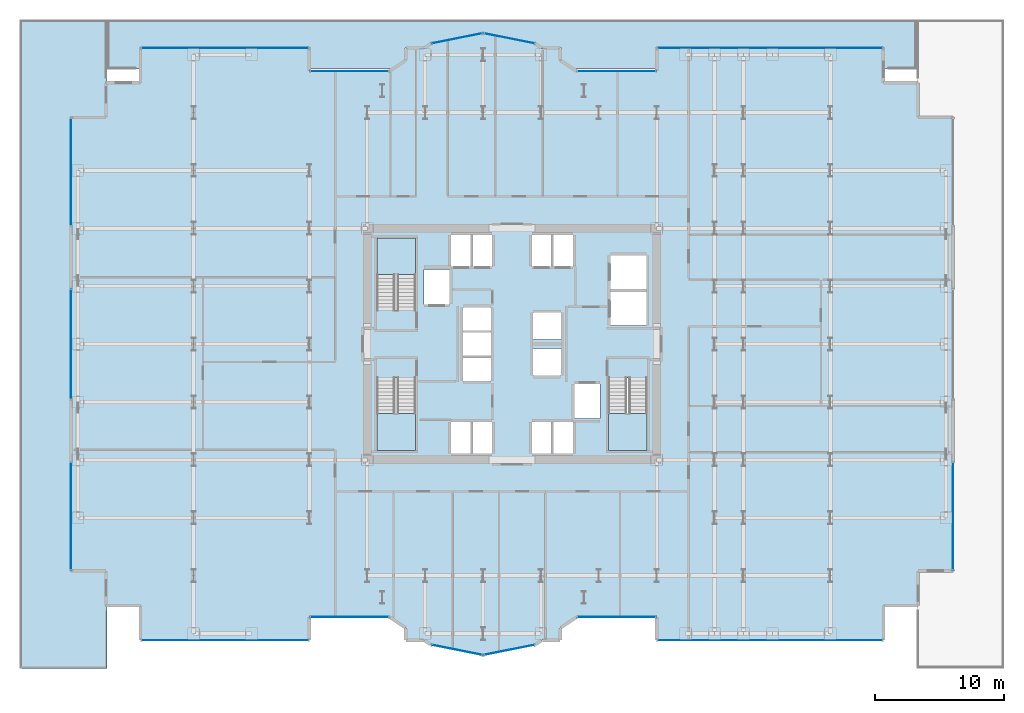
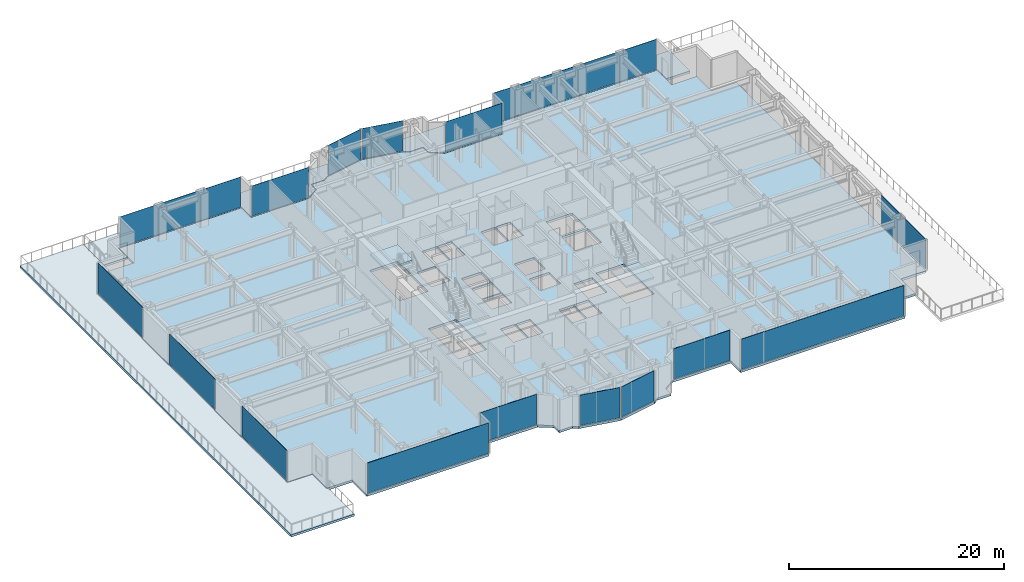
# One storey, part 19 of 30: 16 plates, 6 slabs, 19 elements without a shape of their own.
"""IFC4 building model written with IfcOpenShell, lengths in metres."""

import ifcopenshell
import ifcopenshell.guid

model = None  # the IFC model being written
_history = None  # IfcOwnerHistory: only IFC2X3 demands one
_inside = {}  # id of a spatial element -> (the spatial element, [elements in it])
_under = {}  # id of a project, library or spatial element -> (it, [spatial elements below it])
_declared = {}  # id of a project -> (the project, [libraries it declares])
_typed = {}  # id of a type object -> (the type object, [elements of that type])
_made_of = {}  # id of a material, layer set ... -> (it, [elements and type objects made of it])


def new_model(schema):
    """Start an empty IFC model of exactly this schema.

    Asked for "IFC4X3", IfcOpenShell would pick the latest addendum, in which some entities
    have other attributes; the version numbers below select the first issue.
    IFC2X3 requires an IfcOwnerHistory on every rooted entity: one is made here for all.
    """
    global model, _history
    if schema == "IFC4X3":
        model = ifcopenshell.file(schema_version=(4, 3, 0, 0))
    else:
        model = ifcopenshell.file(schema=schema)
    _inside.clear()
    _under.clear()
    _declared.clear()
    _typed.clear()
    _made_of.clear()
    _history = None
    if model.schema == "IFC2X3":
        org = make("IfcOrganization", Name="unknown")
        user = make(
            "IfcPersonAndOrganization",
            ThePerson=make("IfcPerson", FamilyName="unknown"),
            TheOrganization=org,
        )
        app = make(
            "IfcApplication",
            ApplicationDeveloper=org,
            Version="unknown",
            ApplicationFullName="unknown",
            ApplicationIdentifier="unknown",
        )
        _history = make(
            "IfcOwnerHistory",
            OwningUser=user,
            OwningApplication=app,
            ChangeAction="ADDED",
            CreationDate=0,
        )
    return model


def make(cls, **values):
    """One entity of the class cls with the attributes given. An attribute that is None is left unset."""
    return model.create_entity(
        cls, **{name: value for name, value in values.items() if value is not None}
    )


def rooted(cls, **values):
    """An entity with a GlobalId (a new one), such as an element, a storey or a relation."""
    return make(cls, GlobalId=ifcopenshell.guid.new(), OwnerHistory=_history, **values)


def si_unit(unit_type, name, prefix=None):
    """IfcSIUnit, for example si_unit("LENGTHUNIT", "METRE", prefix="MILLI")."""
    return make("IfcSIUnit", UnitType=unit_type, Prefix=prefix, Name=name)


def assignment(units):
    """IfcUnitAssignment: the units of a project."""
    return None if units is None else make("IfcUnitAssignment", Units=units)


def point(xyz):
    """IfcCartesianPoint."""
    return None if xyz is None else make("IfcCartesianPoint", Coordinates=xyz)


def direction(xyz):
    """IfcDirection."""
    return None if xyz is None else make("IfcDirection", DirectionRatios=xyz)


def frame(location, z_axis=None, x_axis=None):
    """IfcAxis2Placement3D, a coordinate frame: its origin and axes. An axis left out is left unset."""
    return make(
        "IfcAxis2Placement3D",
        Location=point(location),
        Axis=direction(z_axis),
        RefDirection=direction(x_axis),
    )


def frame_2d(location, x_axis=None):
    """IfcAxis2Placement2D, a coordinate frame in the plane: its origin and x axis."""
    return make(
        "IfcAxis2Placement2D", Location=point(location), RefDirection=direction(x_axis)
    )


def origin():
    """The frame at (0, 0, 0) with its axes left unset."""
    return frame((0.0, 0.0, 0.0))


def origin_2d():
    """The frame at (0, 0) in the plane with its x axis left unset."""
    return frame_2d((0.0, 0.0))


def place(relative_to, where):
    """IfcLocalPlacement: puts the frame where relative to a parent placement (None: the world)."""
    return make(
        "IfcLocalPlacement", PlacementRelTo=relative_to, RelativePlacement=where
    )


def context(
    kind, dimensions, precision=None, world=None, true_north=None, identifier=None
):
    """IfcGeometricRepresentationContext, for example the 3D "Model" context."""
    return make(
        "IfcGeometricRepresentationContext",
        ContextIdentifier=identifier,
        ContextType=kind,
        CoordinateSpaceDimension=dimensions,
        Precision=precision,
        WorldCoordinateSystem=world,
        TrueNorth=true_north,
    )


def subcontext(parent, identifier, kind, view, scale=None):
    """IfcGeometricRepresentationSubContext, for example "Body" below "Model"."""
    return make(
        "IfcGeometricRepresentationSubContext",
        ContextIdentifier=identifier,
        ContextType=kind,
        ParentContext=parent,
        TargetScale=scale,
        TargetView=view,
    )


def project(units=None, contexts=None):
    """IfcProject with its units and contexts."""
    return rooted(
        "IfcProject",
        Name="project",
        RepresentationContexts=contexts,
        UnitsInContext=assignment(units),
    )


def spatial(cls, under=None, at=None, **own):
    """A site, building, storey or space (cls), placed at a placement, below another one or the project."""
    s = rooted(cls, ObjectPlacement=at, **own)
    if under is not None:
        _under.setdefault(under.id(), (under, []))[1].append(s)
    return s


def polyline(points):
    """IfcPolyline through the points."""
    return make("IfcPolyline", Points=[point(p) for p in points])


def profile(cls, at=None, kind="AREA", **sizes):
    """A parametric profile (cls). Its sizes go by their IFC names, for example OverallWidth=200.0."""
    return make(cls, ProfileType=kind, Position=at, **sizes)


def rectangle(**sizes):
    """IfcRectangleProfileDef."""
    return profile("IfcRectangleProfileDef", **sizes)


def outline(outer, holes=None, kind="AREA"):
    """IfcArbitraryClosedProfileDef: a profile drawn as a closed curve; with holes, ...WithVoids."""
    if holes is None:
        return make("IfcArbitraryClosedProfileDef", ProfileType=kind, OuterCurve=outer)
    return make(
        "IfcArbitraryProfileDefWithVoids",
        ProfileType=kind,
        OuterCurve=outer,
        InnerCurves=holes,
    )


def extrude(swept, where, along, depth):
    """IfcExtrudedAreaSolid: the profile swept, set in the frame where, extruded along a direction by depth."""
    return make(
        "IfcExtrudedAreaSolid",
        SweptArea=swept,
        Position=where,
        ExtrudedDirection=direction(along),
        Depth=depth,
    )


def shape(context_of_items, identifier, shape_type, items):
    """IfcShapeRepresentation: the items that make up one representation, for example the "Body"."""
    return make(
        "IfcShapeRepresentation",
        ContextOfItems=context_of_items,
        RepresentationIdentifier=identifier,
        RepresentationType=shape_type,
        Items=items,
    )


def source(mapping_origin, context_of_items, identifier, shape_type, items):
    """IfcRepresentationMap: a shape defined once, which mapped items show again and again."""
    return make(
        "IfcRepresentationMap",
        MappingOrigin=mapping_origin,
        MappedRepresentation=shape(context_of_items, identifier, shape_type, items),
    )


def transform(
    local_origin,
    x_axis=None,
    y_axis=None,
    z_axis=None,
    scale=None,
    scale2=None,
    scale3=None,
    uniform=True,
):
    """IfcCartesianTransformationOperator3D, or its non-uniform kind. x_axis, y_axis, z_axis: its Axis1, 2, 3."""
    if uniform:
        return make(
            "IfcCartesianTransformationOperator3D",
            Axis1=direction(x_axis),
            Axis2=direction(y_axis),
            LocalOrigin=point(local_origin),
            Scale=scale,
            Axis3=direction(z_axis),
        )
    return make(
        "IfcCartesianTransformationOperator3DnonUniform",
        Axis1=direction(x_axis),
        Axis2=direction(y_axis),
        LocalOrigin=point(local_origin),
        Scale=scale,
        Axis3=direction(z_axis),
        Scale2=scale2,
        Scale3=scale3,
    )


def mapped(mapping_source, mapping_target):
    """IfcMappedItem: shows the shape of a source again, moved by a transform."""
    return make(
        "IfcMappedItem", MappingSource=mapping_source, MappingTarget=mapping_target
    )


def material(Name=None, Category=None):
    """IfcMaterial."""
    return make("IfcMaterial", Name=Name, Category=Category)


def layer(
    of_material, thickness, ventilated=None, Name=None, Category=None, Priority=None
):
    """IfcMaterialLayer: one layer of a wall or slab, of a material (None: an air gap)."""
    return make(
        "IfcMaterialLayer",
        Material=of_material,
        LayerThickness=thickness,
        IsVentilated=ventilated,
        Name=Name,
        Category=Category,
        Priority=Priority,
    )


def layer_set(layers, Name=None):
    """IfcMaterialLayerSet."""
    return make("IfcMaterialLayerSet", MaterialLayers=layers, LayerSetName=Name)


def made_of(thing, what):
    """Note that an element or type object is made of a material, layer set ...; save() writes the relation."""
    if what is not None:
        _made_of.setdefault(what.id(), (what, []))[1].append(thing)
    return thing


def type_object(cls, material=None, **own):
    """A type object (cls), such as IfcWallType, which elements share."""
    return made_of(rooted(cls, **own), material)


def element(
    cls,
    number,
    at=None,
    inside=None,
    cuts=None,
    type_object=None,
    material=None,
    context=None,
    identifier="Body",
    shape_type=None,
    held_by="IfcProductDefinitionShape",
    body=None,
    shapes=None,
    **own,
):
    """One element of the class cls, such as IfcWall. Its Tag is "e" and its number.

    at: its placement. inside: the storey or other place that contains it. cuts: it is an
    opening in that element (IfcRelVoidsElement). A single representation is given by context,
    identifier, shape_type and body (its items); several are given by shapes. held_by: the class
    of the entity that holds the representations. save() writes the other relations.
    """
    e = rooted(cls, Tag="e%d" % number, ObjectPlacement=at, **own)
    if body is not None:
        shapes = [shape(context, identifier, shape_type, body)]
    if shapes is not None:
        e.Representation = make(held_by, Representations=shapes)
    if inside is not None:
        _inside.setdefault(inside.id(), (inside, []))[1].append(e)
    if cuts is not None:
        rooted(
            "IfcRelVoidsElement", RelatingBuildingElement=cuts, RelatedOpeningElement=e
        )
    if type_object is not None:
        _typed.setdefault(type_object.id(), (type_object, []))[1].append(e)
    return made_of(e, material)


def aggregate(whole, parts):
    """IfcRelAggregates: a whole, such as a stair, and the parts it consists of."""
    return rooted("IfcRelAggregates", RelatingObject=whole, RelatedObjects=parts)


def save(model, path):
    """Write the relations noted so far, then the file.

    IfcRelAggregates (storeys below a building ...), IfcRelContainedInSpatialStructure (elements
    in a storey), IfcRelDefinesByType, IfcRelAssociatesMaterial and IfcRelDeclares: one each for
    every whole, place, type object, material and project.
    """
    for whole, parts in _under.values():
        aggregate(whole, parts)
    for where, things in _inside.values():
        rooted(
            "IfcRelContainedInSpatialStructure",
            RelatedElements=things,
            RelatingStructure=where,
        )
    for kind, things in _typed.values():
        rooted("IfcRelDefinesByType", RelatedObjects=things, RelatingType=kind)
    for what, things in _made_of.values():
        rooted("IfcRelAssociatesMaterial", RelatedObjects=things, RelatingMaterial=what)
    for by, libraries in _declared.values():
        rooted("IfcRelDeclares", RelatingContext=by, RelatedDefinitions=libraries)
    model.write(path)


model = new_model("IFC4")

# Units and contexts
model_context = context("Model", 3, precision=1e-05, world=origin(), true_north=direction((0.0, 1.0)))
body_context = subcontext(model_context, "Body", "Model", "MODEL_VIEW")
ifc_project = project(units=[si_unit("LENGTHUNIT", "METRE"), si_unit("AREAUNIT", "SQUARE_METRE"), si_unit("VOLUMEUNIT", "CUBIC_METRE"), si_unit("PLANEANGLEUNIT", "RADIAN"), si_unit("MASSUNIT", "GRAM", prefix="KILO")], contexts=[model_context])

# Site, building, storey
site_placement = place(None, origin())
site = spatial("IfcSite", under=ifc_project, at=site_placement, CompositionType="ELEMENT")
building_placement = place(site_placement, origin())
building = spatial("IfcBuilding", under=site, at=building_placement, Name="Nefas-Gora Pilgrimage Tower", CompositionType="ELEMENT")
storey_placement = place(building_placement, frame((0.0, 0.0, 33.0)))
storey = spatial("IfcBuildingStorey", under=building, at=storey_placement, Name="L06", CompositionType="ELEMENT", Elevation=33.0)

# Slabs
ifc_material_1 = material(Name="Concrete C45/55", Category="concrete")
ifc_layer_1 = layer(ifc_material_1, 0.25)
ifc_layer_set_1 = layer_set([ifc_layer_1], Name="Concrete C45/55")
slab_type_1 = type_object("IfcSlabType", Name="SLB-TER-L06-1", PredefinedType="ROOF", material=ifc_layer_set_1)
slab_1_placement = place(storey_placement, frame((0.0, 0.0, -0.25)))
element("IfcSlab", 1, at=slab_1_placement, inside=storey, type_object=slab_type_1, Name="L06 Outdoor Sky Terrace Slab TER-L06-1", PredefinedType="ROOF", context=body_context, shape_type="SweptSolid", body=[
    extrude(outline(polyline([(-38.25, -25.199951171875), (-31.469970703125, -25.199951171875), (-31.469970703125, -20.3701171875), (-31.570068359375, -20.3701171875), (-31.574951171875, -20.369873046875), (-31.579833984375, -20.368896484375), (-31.58447265625, -20.367919921875), (-31.589111328125, -20.3662109375), (-31.593505859375, -20.364013671875), (-31.597900390625, -20.361572265625), (-31.601806640625, -20.358642578125), (-31.60546875, -20.35546875), (-31.608642578125, -20.351806640625), (-31.611572265625, -20.347900390625), (-31.614013671875, -20.343505859375), (-31.6162109375, -20.339111328125), (-31.617919921875, -20.33447265625), (-31.618896484375, -20.329833984375), (-31.619873046875, -20.324951171875), (-31.6201171875, -20.320068359375), (-31.6201171875, -17.669921875), (-34.27001953125, -17.669921875), (-34.27490234375, -17.669921875), (-34.27978515625, -17.6689453125), (-34.284423828125, -17.667724609375), (-34.2890625, -17.666259765625), (-34.293701171875, -17.6640625), (-34.2978515625, -17.66162109375), (-34.3017578125, -17.65869140625), (-34.305419921875, -17.655517578125), (-34.30859375, -17.651611328125), (-34.3115234375, -17.647705078125), (-34.314208984375, -17.6435546875), (-34.316162109375, -17.63916015625), (-34.31787109375, -17.634521484375), (-34.319091796875, -17.6298828125), (-34.31982421875, -17.625), (-34.320068359375, -17.6201171875), (-34.320068359375, 17.6201171875), (-34.31982421875, 17.625), (-34.319091796875, 17.6298828125), (-34.31787109375, 17.634521484375), (-34.316162109375, 17.63916015625), (-34.314208984375, 17.6435546875), (-34.3115234375, 17.647705078125), (-34.30859375, 17.651611328125), (-34.305419921875, 17.655517578125), (-34.3017578125, 17.65869140625), (-34.2978515625, 17.66162109375), (-34.293701171875, 17.6640625), (-34.2890625, 17.666259765625), (-34.284423828125, 17.667724609375), (-34.27978515625, 17.6689453125), (-34.27490234375, 17.669921875), (-34.27001953125, 17.669921875), (-31.6201171875, 17.669921875), (-31.6201171875, 20.320068359375), (-31.619873046875, 20.324951171875), (-31.618896484375, 20.329833984375), (-31.617919921875, 20.33447265625), (-31.6162109375, 20.339111328125), (-31.614013671875, 20.343505859375), (-31.611572265625, 20.347900390625), (-31.608642578125, 20.351806640625), (-31.60546875, 20.35546875), (-31.601806640625, 20.358642578125), (-31.597900390625, 20.361572265625), (-31.593505859375, 20.364013671875), (-31.589111328125, 20.3662109375), (-31.58447265625, 20.367919921875), (-31.579833984375, 20.368896484375), (-31.574951171875, 20.369873046875), (-31.570068359375, 20.3701171875), (-31.469970703125, 20.3701171875), (-31.469970703125, 25.199951171875), (-38.25, 25.199951171875), (-38.25, -25.199951171875)])), origin(), (0.0, 0.0, 1.0), 0.25),
])
ifc_layer_2 = layer(ifc_material_1, 0.25)
ifc_layer_set_2 = layer_set([ifc_layer_2], Name="Concrete C45/55")
slab_type_2 = type_object("IfcSlabType", Name="SLB-TER-L06-3", PredefinedType="ROOF", material=ifc_layer_set_2)
slab_2_placement = place(storey_placement, frame((0.0, 0.0, -0.25)))
element("IfcSlab", 2, at=slab_2_placement, inside=storey, type_object=slab_type_2, Name="L06 Outdoor Sky Terrace Slab TER-L06-3", PredefinedType="ROOF", context=body_context, shape_type="SweptSolid", body=[
    extrude(outline(polyline([(-31.449951171875, 25.199951171875), (-31.449951171875, 21.372314453125), (-28.919921875, 21.372314453125), (-28.919921875, 23.02001953125), (-28.919921875, 23.02490234375), (-28.9189453125, 23.02978515625), (-28.917724609375, 23.034423828125), (-28.916259765625, 23.0390625), (-28.9140625, 23.043701171875), (-28.91162109375, 23.0478515625), (-28.90869140625, 23.0517578125), (-28.905517578125, 23.055419921875), (-28.901611328125, 23.05859375), (-28.897705078125, 23.0615234375), (-28.8935546875, 23.064208984375), (-28.88916015625, 23.066162109375), (-28.884521484375, 23.06787109375), (-28.8798828125, 23.069091796875), (-28.875, 23.06982421875), (-28.8701171875, 23.070068359375), (-15.75, 23.070068359375), (-15.7451171875, 23.06982421875), (-15.740234375, 23.069091796875), (-15.735595703125, 23.06787109375), (-15.73095703125, 23.066162109375), (-15.726318359375, 23.064208984375), (-15.72216796875, 23.0615234375), (-15.71826171875, 23.05859375), (-15.714599609375, 23.055419921875), (-15.711181640625, 23.0517578125), (-15.70849609375, 23.0478515625), (-15.705810546875, 23.043701171875), (-15.703857421875, 23.0390625), (-15.7021484375, 23.034423828125), (-15.700927734375, 23.02978515625), (-15.7001953125, 23.02490234375), (-15.699951171875, 23.02001953125), (-15.699951171875, 21.372314453125), (-9.3798828125, 21.372314453125), (-8.300048828125, 22.093994140625), (-8.300048828125, 23.02001953125), (-8.2998046875, 23.02490234375), (-8.299072265625, 23.02978515625), (-8.2978515625, 23.034423828125), (-8.296142578125, 23.0390625), (-8.294189453125, 23.043701171875), (-8.29150390625, 23.0478515625), (-8.288818359375, 23.0517578125), (-8.285400390625, 23.055419921875), (-8.28173828125, 23.05859375), (-8.27783203125, 23.0615234375), (-8.273681640625, 23.064208984375), (-8.26904296875, 23.066162109375), (-8.264404296875, 23.06787109375), (-8.259765625, 23.069091796875), (-8.2548828125, 23.06982421875), (-8.25, 23.070068359375), (-6.83935546875, 23.070068359375), (-6.335205078125, 23.406982421875), (-6.330810546875, 23.409423828125), (-6.326416015625, 23.41162109375), (-6.322021484375, 23.4130859375), (-6.317138671875, 23.414306640625), (-2.259765625, 24.221435546875), (-2.2548828125, 24.22216796875), (-2.25, 24.222412109375), (-2.2451171875, 24.22216796875), (-2.240234375, 24.221435546875), (1.817138671875, 23.414306640625), (1.822021484375, 23.4130859375), (1.826416015625, 23.41162109375), (1.830810546875, 23.409423828125), (1.835205078125, 23.406982421875), (2.33935546875, 23.070068359375), (3.75, 23.070068359375), (3.7548828125, 23.06982421875), (3.759765625, 23.069091796875), (3.764404296875, 23.06787109375), (3.76904296875, 23.066162109375), (3.773681640625, 23.064208984375), (3.77783203125, 23.0615234375), (3.78173828125, 23.05859375), (3.785400390625, 23.055419921875), (3.788818359375, 23.0517578125), (3.79150390625, 23.0478515625), (3.794189453125, 23.043701171875), (3.796142578125, 23.0390625), (3.7978515625, 23.034423828125), (3.799072265625, 23.02978515625), (3.7998046875, 23.02490234375), (3.800048828125, 23.02001953125), (3.800048828125, 22.093994140625), (4.8798828125, 21.372314453125), (11.199951171875, 21.372314453125), (11.199951171875, 23.02001953125), (11.2001953125, 23.02490234375), (11.200927734375, 23.02978515625), (11.2021484375, 23.034423828125), (11.203857421875, 23.0390625), (11.205810546875, 23.043701171875), (11.20849609375, 23.0478515625), (11.211181640625, 23.0517578125), (11.214599609375, 23.055419921875), (11.21826171875, 23.05859375), (11.22216796875, 23.0615234375), (11.226318359375, 23.064208984375), (11.23095703125, 23.066162109375), (11.235595703125, 23.06787109375), (11.240234375, 23.069091796875), (11.2451171875, 23.06982421875), (11.25, 23.070068359375), (28.8701171875, 23.070068359375), (28.875, 23.06982421875), (28.8798828125, 23.069091796875), (28.884521484375, 23.06787109375), (28.88916015625, 23.066162109375), (28.8935546875, 23.064208984375), (28.897705078125, 23.0615234375), (28.901611328125, 23.05859375), (28.905517578125, 23.055419921875), (28.90869140625, 23.0517578125), (28.91162109375, 23.0478515625), (28.9140625, 23.043701171875), (28.916259765625, 23.0390625), (28.917724609375, 23.034423828125), (28.9189453125, 23.02978515625), (28.919921875, 23.02490234375), (28.919921875, 23.02001953125), (28.919921875, 21.372314453125), (31.449951171875, 21.372314453125), (31.449951171875, 25.199951171875), (-31.449951171875, 25.199951171875)])), origin(), (0.0, 0.0, 1.0), 0.25),
])
ifc_material_2 = material(Name="Concrete C40/50", Category="concrete")
ifc_layer_3 = layer(ifc_material_2, 0.25)
ifc_layer_set_3 = layer_set([ifc_layer_3], Name="Concrete C40/50")
slab_type_3 = type_object("IfcSlabType", Name="SLB-TWR-250", PredefinedType="FLOOR", material=ifc_layer_set_3)
slab_3_placement = place(storey_placement, frame((0.0, 0.0, -0.25)))
element("IfcSlab", 3, at=slab_3_placement, inside=storey, type_object=slab_type_3, Name="L06 Structural Floor Slab", PredefinedType="FLOOR", context=body_context, shape_type="SweptSolid", body=[
    extrude(outline(polyline([(5.01806640625, -21.219970703125), (11.25, -21.219970703125), (11.25, -23.02001953125), (28.8701171875, -23.02001953125), (28.8701171875, -20.320068359375), (31.570068359375, -20.320068359375), (31.570068359375, -17.6201171875), (34.27001953125, -17.6201171875), (34.27001953125, 17.6201171875), (31.570068359375, 17.6201171875), (31.570068359375, 20.320068359375), (28.8701171875, 20.320068359375), (28.8701171875, 23.02001953125), (11.25, 23.02001953125), (11.25, 21.219970703125), (5.01806640625, 21.219970703125), (3.75, 22.0673828125), (3.75, 23.02001953125), (2.32421875, 23.02001953125), (1.807373046875, 23.365234375), (-2.25, 24.17236328125), (-6.307373046875, 23.365234375), (-6.82421875, 23.02001953125), (-8.25, 23.02001953125), (-8.25, 22.0673828125), (-9.51806640625, 21.219970703125), (-15.75, 21.219970703125), (-15.75, 23.02001953125), (-28.8701171875, 23.02001953125), (-28.8701171875, 20.320068359375), (-31.570068359375, 20.320068359375), (-31.570068359375, 17.6201171875), (-34.27001953125, 17.6201171875), (-34.27001953125, -17.6201171875), (-31.570068359375, -17.6201171875), (-31.570068359375, -20.320068359375), (-28.8701171875, -20.320068359375), (-28.8701171875, -23.02001953125), (-15.75, -23.02001953125), (-15.75, -21.219970703125), (-9.51806640625, -21.219970703125), (-8.25, -22.0673828125), (-8.25, -23.02001953125), (-6.82421875, -23.02001953125), (-6.307373046875, -23.365234375), (-2.25, -24.17236328125), (1.807373046875, -23.365234375), (2.32421875, -23.02001953125), (3.75, -23.02001953125), (3.75, -22.0673828125), (5.01806640625, -21.219970703125)]), holes=[polyline([(-10.5, 2.639892578125), (-10.5, 8.25), (-7.5, 8.25), (-7.5, 2.639892578125), (-10.5, 2.639892578125)]), polyline([(10.5, -2.639892578125), (10.5, -8.25), (7.5, -8.25), (7.5, -2.639892578125), (10.5, -2.639892578125)]), polyline([(-7.5, -2.639892578125), (-7.5, -8.25), (-10.5, -8.25), (-10.5, -2.639892578125), (-7.5, -2.639892578125)]), polyline([(-6.85009765625, 5.800048828125), (-4.85009765625, 5.800048828125), (-4.85009765625, 3.10009765625), (-6.85009765625, 3.10009765625), (-6.85009765625, 5.800048828125)]), polyline([(4.85009765625, -3.10009765625), (6.85009765625, -3.10009765625), (6.85009765625, -5.800048828125), (4.85009765625, -5.800048828125), (4.85009765625, -3.10009765625)]), polyline([(7.64990234375, 4.050048828125), (10.449951171875, 4.050048828125), (10.449951171875, 1.449951171875), (7.64990234375, 1.449951171875), (7.64990234375, 4.050048828125)]), polyline([(7.64990234375, 6.89990234375), (10.449951171875, 6.89990234375), (10.449951171875, 4.300048828125), (7.64990234375, 4.300048828125), (7.64990234375, 6.89990234375)]), polyline([(-4.75, 8.5), (-3.14990234375, 8.5), (-3.14990234375, 6.050048828125), (-4.75, 6.050048828125), (-4.75, 8.5)]), polyline([(-3.10009765625, 8.5), (-1.550048828125, 8.5), (-1.550048828125, 6.050048828125), (-3.10009765625, 6.050048828125), (-3.10009765625, 8.5)]), polyline([(1.550048828125, 8.5), (3.10009765625, 8.5), (3.10009765625, 6.050048828125), (1.550048828125, 6.050048828125), (1.550048828125, 8.5)]), polyline([(3.14990234375, 8.5), (4.75, 8.5), (4.75, 6.050048828125), (3.14990234375, 6.050048828125), (3.14990234375, 8.5)]), polyline([(-4.75, -6.050048828125), (-3.14990234375, -6.050048828125), (-3.14990234375, -8.5), (-4.75, -8.5), (-4.75, -6.050048828125)]), polyline([(-3.10009765625, -6.050048828125), (-1.550048828125, -6.050048828125), (-1.550048828125, -8.5), (-3.10009765625, -8.5), (-3.10009765625, -6.050048828125)]), polyline([(1.550048828125, -6.050048828125), (3.10009765625, -6.050048828125), (3.10009765625, -8.5), (1.550048828125, -8.5), (1.550048828125, -6.050048828125)]), polyline([(3.14990234375, -6.050048828125), (4.75, -6.050048828125), (4.75, -8.5), (3.14990234375, -8.5), (3.14990234375, -6.050048828125)]), polyline([(-3.800048828125, -1.050048828125), (-1.64990234375, -1.050048828125), (-1.64990234375, -2.85009765625), (-3.800048828125, -2.85009765625), (-3.800048828125, -1.050048828125)]), polyline([(-3.800048828125, 0.89990234375), (-1.64990234375, 0.89990234375), (-1.64990234375, -0.89990234375), (-3.800048828125, -0.89990234375), (-3.800048828125, 0.89990234375)]), polyline([(-3.800048828125, 2.85009765625), (-1.64990234375, 2.85009765625), (-1.64990234375, 1.050048828125), (-3.800048828125, 1.050048828125), (-3.800048828125, 2.85009765625)]), polyline([(1.64990234375, -0.35009765625), (3.800048828125, -0.35009765625), (3.800048828125, -2.449951171875), (1.64990234375, -2.449951171875), (1.64990234375, -0.35009765625)]), polyline([(1.64990234375, 2.449951171875), (3.800048828125, 2.449951171875), (3.800048828125, 0.35009765625), (1.64990234375, 0.35009765625), (1.64990234375, 2.449951171875)])]), origin(), (0.0, 0.0, 1.0), 0.25),
])

# Stair, slab
stair_type = type_object("IfcStairType", Name="STR-1400-R1727", PredefinedType="HALF_TURN_STAIR", material=ifc_material_1)
stair_1_placement = place(storey_placement, origin())
stair_1 = element("IfcStair", 4, at=stair_1_placement, inside=storey, type_object=stair_type, Name="L06 Pressurised Tower Exit Stair ST-01", PredefinedType="HALF_TURN_STAIR")
ifc_layer_4 = layer(ifc_material_2, 0.199951171875)
ifc_layer_set_4 = layer_set([ifc_layer_4], Name="Concrete C40/50")
slab_type_4 = type_object("IfcSlabType", Name="STR-LAND-200", PredefinedType="LANDING", material=ifc_layer_set_4)
slab_4_placement = place(storey_placement, frame((0.0, 0.0, 1.699951171875)))
slab_4 = element("IfcSlab", 5, at=slab_4_placement, type_object=slab_type_4, Name="ST-01 landing 1", PredefinedType="LANDING", context=body_context, shape_type="SweptSolid", body=[
    extrude(outline(polyline([(-7.5, 5.39990234375), (-7.5, 8.25), (-10.5, 8.25), (-10.5, 5.39990234375), (-7.5, 5.39990234375)])), origin(), (0.0, 0.0, 1.0), 0.199951171875),
])
aggregate(stair_1, [slab_4])

stair_2_placement = place(storey_placement, origin())
stair_2 = element("IfcStair", 6, at=stair_2_placement, inside=storey, type_object=stair_type, Name="L06 Pressurised Tower Exit Stair ST-02", PredefinedType="HALF_TURN_STAIR")
slab_5_placement = place(storey_placement, frame((0.0, 0.0, 1.699951171875)))
slab_5 = element("IfcSlab", 7, at=slab_5_placement, type_object=slab_type_4, Name="ST-02 landing 1", PredefinedType="LANDING", context=body_context, shape_type="SweptSolid", body=[
    extrude(outline(polyline([(7.5, -5.39990234375), (7.5, -8.25), (10.5, -8.25), (10.5, -5.39990234375), (7.5, -5.39990234375)])), origin(), (0.0, 0.0, 1.0), 0.199951171875),
])
aggregate(stair_2, [slab_5])

stair_3_placement = place(storey_placement, origin())
stair_3 = element("IfcStair", 8, at=stair_3_placement, inside=storey, type_object=stair_type, Name="L06 Pressurised Tower Exit Stair ST-03", PredefinedType="HALF_TURN_STAIR")
slab_6_placement = place(storey_placement, frame((0.0, 0.0, 1.699951171875)))
slab_6 = element("IfcSlab", 9, at=slab_6_placement, type_object=slab_type_4, Name="ST-03 landing 1", PredefinedType="LANDING", context=body_context, shape_type="SweptSolid", body=[
    extrude(outline(polyline([(-10.5, -5.39990234375), (-10.5, -8.25), (-7.5, -8.25), (-7.5, -5.39990234375), (-10.5, -5.39990234375)])), origin(), (0.0, 0.0, 1.0), 0.199951171875),
])
aggregate(stair_3, [slab_6])

# Curtain wall, plate
ifc_material_3 = material(Name="Dark ceramic-fritted solar-control aluminium-glass curtain wall", Category="aluminium")
ifc_layer_5 = layer(ifc_material_3, 0.219970703125)
ifc_layer_set_5 = layer_set([ifc_layer_5], Name="Dark ceramic-fritted solar-control aluminium-glass curtain wall")
curtain_wall_type_1 = type_object("IfcCurtainWallType", Name="CW-SYS-5", PredefinedType="NOTDEFINED", material=ifc_layer_set_5)
curtain_wall_1_placement = place(storey_placement, origin())
curtain_wall_1 = element("IfcCurtainWall", 10, at=curtain_wall_1_placement, inside=storey, type_object=curtain_wall_type_1, Name="L06 Unitised Curtain Wall CW5", PredefinedType="NOTDEFINED")
ifc_material_4 = material(Name="Dark ceramic-printed low-e insulated glass", Category="glass")
ifc_layer_6 = layer(ifc_material_4, 0.028076171875)
ifc_layer_set_6 = layer_set([ifc_layer_6], Name="Dark ceramic-printed low-e insulated glass")
plate_type_1 = type_object("IfcPlateType", Name="CWP-PNL-5", PredefinedType="CURTAIN_PANEL", material=ifc_layer_set_6)
shared_shape_1 = source(origin(), body_context, "Body", "SweptSolid", [
    extrude(rectangle(XDim=6.052001953125, YDim=0.028076171875, at=origin_2d()), origin(), (0.0, 0.0, 1.0), 3.43994140625),
])
plate_1_placement = place(storey_placement, frame((8.134033203125, -21.219970703125, 0.10009765625), z_axis=(0.0, 0.0, 1.0), x_axis=(1.0, 0.0, 0.0)))
plate_1 = element("IfcPlate", 11, at=plate_1_placement, type_object=plate_type_1, Name="CW5 Ceramic-Fritted Glazing Panel 1", PredefinedType="CURTAIN_PANEL", context=body_context, shape_type="MappedRepresentation", body=[
    mapped(shared_shape_1, transform((0.0, 0.0, 0.0), x_axis=(1.0, 0.0, 0.0), y_axis=(0.0, 1.0, 0.0), z_axis=(0.0, 0.0, 1.0), scale=1.0)),
])
aggregate(curtain_wall_1, [plate_1])

curtain_wall_2_placement = place(storey_placement, origin())
curtain_wall_2 = element("IfcCurtainWall", 12, at=curtain_wall_2_placement, inside=storey, type_object=curtain_wall_type_1, Name="L06 Unitised Curtain Wall CW5", PredefinedType="NOTDEFINED")
plate_2_placement = place(storey_placement, frame((8.134033203125, 21.219970703125, 0.10009765625), z_axis=(0.0, 0.0, 1.0), x_axis=(-1.0, 0.0, 0.0)))
plate_2 = element("IfcPlate", 13, at=plate_2_placement, type_object=plate_type_1, Name="CW5 Ceramic-Fritted Glazing Panel 1", PredefinedType="CURTAIN_PANEL", context=body_context, shape_type="MappedRepresentation", body=[
    mapped(shared_shape_1, transform((0.0, 0.0, 0.0), x_axis=(1.0, 0.0, 0.0), y_axis=(0.0, 1.0, 0.0), z_axis=(0.0, 0.0, 1.0), scale=1.0)),
])
aggregate(curtain_wall_2, [plate_2])

curtain_wall_3_placement = place(storey_placement, origin())
curtain_wall_3 = element("IfcCurtainWall", 14, at=curtain_wall_3_placement, inside=storey, type_object=curtain_wall_type_1, Name="L06 Unitised Curtain Wall CW5", PredefinedType="NOTDEFINED")
plate_3_placement = place(storey_placement, frame((-12.634033203125, 21.219970703125, 0.10009765625), z_axis=(0.0, 0.0, 1.0), x_axis=(-1.0, 0.0, 0.0)))
plate_3 = element("IfcPlate", 15, at=plate_3_placement, type_object=plate_type_1, Name="CW5 Ceramic-Fritted Glazing Panel 1", PredefinedType="CURTAIN_PANEL", context=body_context, shape_type="MappedRepresentation", body=[
    mapped(shared_shape_1, transform((0.0, 0.0, 0.0), x_axis=(1.0, 0.0, 0.0), y_axis=(0.0, 1.0, 0.0), z_axis=(0.0, 0.0, 1.0), scale=1.0)),
])
aggregate(curtain_wall_3, [plate_3])

curtain_wall_4_placement = place(storey_placement, origin())
curtain_wall_4 = element("IfcCurtainWall", 16, at=curtain_wall_4_placement, inside=storey, type_object=curtain_wall_type_1, Name="L06 Unitised Curtain Wall CW5", PredefinedType="NOTDEFINED")
plate_4_placement = place(storey_placement, frame((-12.634033203125, -21.219970703125, 0.10009765625), z_axis=(0.0, 0.0, 1.0), x_axis=(1.0, 0.0, 0.0)))
plate_4 = element("IfcPlate", 17, at=plate_4_placement, type_object=plate_type_1, Name="CW5 Ceramic-Fritted Glazing Panel 1", PredefinedType="CURTAIN_PANEL", context=body_context, shape_type="MappedRepresentation", body=[
    mapped(shared_shape_1, transform((0.0, 0.0, 0.0), x_axis=(1.0, 0.0, 0.0), y_axis=(0.0, 1.0, 0.0), z_axis=(0.0, 0.0, 1.0), scale=1.0)),
])
aggregate(curtain_wall_4, [plate_4])

ifc_layer_7 = layer(ifc_material_3, 0.219970703125)
ifc_layer_set_7 = layer_set([ifc_layer_7], Name="Dark ceramic-fritted solar-control aluminium-glass curtain wall")
curtain_wall_type_2 = type_object("IfcCurtainWallType", Name="CW-SYS-2", PredefinedType="NOTDEFINED", material=ifc_layer_set_7)
curtain_wall_5_placement = place(storey_placement, origin())
curtain_wall_5 = element("IfcCurtainWall", 18, at=curtain_wall_5_placement, inside=storey, type_object=curtain_wall_type_2, Name="L06 Unitised Curtain Wall CW2", PredefinedType="NOTDEFINED")
ifc_layer_8 = layer(ifc_material_4, 0.031982421875)
ifc_layer_set_8 = layer_set([ifc_layer_8], Name="Dark ceramic-printed low-e insulated glass")
plate_type_2 = type_object("IfcPlateType", Name="CWP-PNL-2", PredefinedType="CURTAIN_PANEL", material=ifc_layer_set_8)
shared_shape_2 = source(origin(), body_context, "Body", "SweptSolid", [
    extrude(rectangle(XDim=17.43994140625, YDim=0.031982421875, at=origin_2d()), origin(), (0.0, 0.0, 1.0), 3.43994140625),
])
plate_5_placement = place(storey_placement, frame((20.06005859375, -23.02001953125, 0.10009765625), z_axis=(0.0, 0.0, 1.0), x_axis=(1.0, 0.0, 0.0)))
plate_5 = element("IfcPlate", 19, at=plate_5_placement, type_object=plate_type_2, Name="CW2 Ceramic-Fritted Glazing Panel 1", PredefinedType="CURTAIN_PANEL", context=body_context, shape_type="MappedRepresentation", body=[
    mapped(shared_shape_2, transform((0.0, 0.0, 0.0), x_axis=(1.0, 0.0, 0.0), y_axis=(0.0, 1.0, 0.0), z_axis=(0.0, 0.0, 1.0), scale=1.0)),
])
aggregate(curtain_wall_5, [plate_5])

curtain_wall_6_placement = place(storey_placement, origin())
curtain_wall_6 = element("IfcCurtainWall", 20, at=curtain_wall_6_placement, inside=storey, type_object=curtain_wall_type_2, Name="L06 Unitised Curtain Wall CW2", PredefinedType="NOTDEFINED")
plate_6_placement = place(storey_placement, frame((20.06005859375, 23.02001953125, 0.10009765625), z_axis=(0.0, 0.0, 1.0), x_axis=(-1.0, 0.0, 0.0)))
plate_6 = element("IfcPlate", 21, at=plate_6_placement, type_object=plate_type_2, Name="CW2 Ceramic-Fritted Glazing Panel 1", PredefinedType="CURTAIN_PANEL", context=body_context, shape_type="MappedRepresentation", body=[
    mapped(shared_shape_2, transform((0.0, 0.0, 0.0), x_axis=(1.0, 0.0, 0.0), y_axis=(0.0, 1.0, 0.0), z_axis=(0.0, 0.0, 1.0), scale=1.0)),
])
aggregate(curtain_wall_6, [plate_6])

curtain_wall_7_placement = place(storey_placement, origin())
curtain_wall_7 = element("IfcCurtainWall", 22, at=curtain_wall_7_placement, inside=storey, type_object=curtain_wall_type_2, Name="L06 Unitised Curtain Wall CW2", PredefinedType="NOTDEFINED")
shared_shape_3 = source(origin(), body_context, "Body", "SweptSolid", [
    extrude(rectangle(XDim=8.2900390625, YDim=0.031982421875, at=origin_2d()), origin(), (0.0, 0.0, 1.0), 3.43994140625),
])
plate_7_placement = place(storey_placement, frame((34.27001953125, -13.385009765625, 0.10009765625), z_axis=(0.0, 0.0, 1.0), x_axis=(0.0, 1.0, 0.0)))
plate_7 = element("IfcPlate", 23, at=plate_7_placement, type_object=plate_type_2, Name="CW2 Ceramic-Fritted Glazing Panel 1", PredefinedType="CURTAIN_PANEL", context=body_context, shape_type="MappedRepresentation", body=[
    mapped(shared_shape_3, transform((0.0, 0.0, 0.0), x_axis=(1.0, 0.0, 0.0), y_axis=(0.0, 1.0, 0.0), z_axis=(0.0, 0.0, 1.0), scale=1.0)),
])
aggregate(curtain_wall_7, [plate_7])

curtain_wall_8_placement = place(storey_placement, origin())
curtain_wall_8 = element("IfcCurtainWall", 24, at=curtain_wall_8_placement, inside=storey, type_object=curtain_wall_type_2, Name="L06 Unitised Curtain Wall CW2", PredefinedType="NOTDEFINED")
plate_8_placement = place(storey_placement, frame((-34.27001953125, 13.385009765625, 0.10009765625), z_axis=(0.0, 0.0, 1.0), x_axis=(0.0, -1.0, 0.0)))
plate_8 = element("IfcPlate", 25, at=plate_8_placement, type_object=plate_type_2, Name="CW2 Ceramic-Fritted Glazing Panel 1", PredefinedType="CURTAIN_PANEL", context=body_context, shape_type="MappedRepresentation", body=[
    mapped(shared_shape_3, transform((0.0, 0.0, 0.0), x_axis=(1.0, 0.0, 0.0), y_axis=(0.0, 1.0, 0.0), z_axis=(0.0, 0.0, 1.0), scale=1.0)),
])
aggregate(curtain_wall_8, [plate_8])

curtain_wall_9_placement = place(storey_placement, origin())
curtain_wall_9 = element("IfcCurtainWall", 26, at=curtain_wall_9_placement, inside=storey, type_object=curtain_wall_type_2, Name="L06 Unitised Curtain Wall CW2", PredefinedType="NOTDEFINED")
plate_9_placement = place(storey_placement, frame((-34.27001953125, -13.385009765625, 0.10009765625), z_axis=(0.0, 0.0, 1.0), x_axis=(0.0, -1.0, 0.0)))
plate_9 = element("IfcPlate", 27, at=plate_9_placement, type_object=plate_type_2, Name="CW2 Ceramic-Fritted Glazing Panel 1", PredefinedType="CURTAIN_PANEL", context=body_context, shape_type="MappedRepresentation", body=[
    mapped(shared_shape_3, transform((0.0, 0.0, 0.0), x_axis=(1.0, 0.0, 0.0), y_axis=(0.0, 1.0, 0.0), z_axis=(0.0, 0.0, 1.0), scale=1.0)),
])
aggregate(curtain_wall_9, [plate_9])

curtain_wall_10_placement = place(storey_placement, origin())
curtain_wall_10 = element("IfcCurtainWall", 28, at=curtain_wall_10_placement, inside=storey, type_object=curtain_wall_type_2, Name="L06 Unitised Curtain Wall CW2", PredefinedType="NOTDEFINED")
shared_shape_4 = source(origin(), body_context, "Body", "SweptSolid", [
    extrude(rectangle(XDim=8.52001953125, YDim=0.031982421875, at=origin_2d()), origin(), (0.0, 0.0, 1.0), 3.43994140625),
])
plate_10_placement = place(storey_placement, frame((-34.27001953125, 0.0, 0.10009765625), z_axis=(0.0, 0.0, 1.0), x_axis=(0.0, -1.0, 0.0)))
plate_10 = element("IfcPlate", 29, at=plate_10_placement, type_object=plate_type_2, Name="CW2 Ceramic-Fritted Glazing Panel 1", PredefinedType="CURTAIN_PANEL", context=body_context, shape_type="MappedRepresentation", body=[
    mapped(shared_shape_4, transform((0.0, 0.0, 0.0), x_axis=(1.0, 0.0, 0.0), y_axis=(0.0, 1.0, 0.0), z_axis=(0.0, 0.0, 1.0), scale=1.0)),
])
aggregate(curtain_wall_10, [plate_10])

curtain_wall_11_placement = place(storey_placement, origin())
curtain_wall_11 = element("IfcCurtainWall", 30, at=curtain_wall_11_placement, inside=storey, type_object=curtain_wall_type_1, Name="L06 Unitised Curtain Wall CW5", PredefinedType="NOTDEFINED")
shared_shape_5 = source(origin(), body_context, "Body", "SweptSolid", [
    extrude(rectangle(XDim=3.956787109375, YDim=0.028076171875, at=origin_2d()), origin(), (0.0, 0.0, 1.0), 3.43994140625),
])
plate_11_placement = place(storey_placement, frame((-0.22119140625, 23.768798828125, 0.10009765625), z_axis=(0.0, 0.0, 1.0), x_axis=(-0.980782896852, 0.195102304554, 0.0)))
plate_11 = element("IfcPlate", 31, at=plate_11_placement, type_object=plate_type_1, Name="CW5 Ceramic-Fritted Glazing Panel 1", PredefinedType="CURTAIN_PANEL", context=body_context, shape_type="MappedRepresentation", body=[
    mapped(shared_shape_5, transform((0.0, 0.0, 0.0), x_axis=(1.0, 0.0, 0.0), y_axis=(0.0, 1.0, 0.0), z_axis=(0.0, 0.0, 1.0), scale=1.0)),
])
aggregate(curtain_wall_11, [plate_11])

curtain_wall_12_placement = place(storey_placement, origin())
curtain_wall_12 = element("IfcCurtainWall", 32, at=curtain_wall_12_placement, inside=storey, type_object=curtain_wall_type_1, Name="L06 Unitised Curtain Wall CW5", PredefinedType="NOTDEFINED")
plate_12_placement = place(storey_placement, frame((-4.278564453125, 23.768798828125, 0.10009765625), z_axis=(0.0, 0.0, 1.0), x_axis=(-0.980782896852, -0.195102304554, 0.0)))
plate_12 = element("IfcPlate", 33, at=plate_12_placement, type_object=plate_type_1, Name="CW5 Ceramic-Fritted Glazing Panel 1", PredefinedType="CURTAIN_PANEL", context=body_context, shape_type="MappedRepresentation", body=[
    mapped(shared_shape_5, transform((0.0, 0.0, 0.0), x_axis=(1.0, 0.0, 0.0), y_axis=(0.0, 1.0, 0.0), z_axis=(0.0, 0.0, 1.0), scale=1.0)),
])
aggregate(curtain_wall_12, [plate_12])

curtain_wall_13_placement = place(storey_placement, origin())
curtain_wall_13 = element("IfcCurtainWall", 34, at=curtain_wall_13_placement, inside=storey, type_object=curtain_wall_type_1, Name="L06 Unitised Curtain Wall CW5", PredefinedType="NOTDEFINED")
plate_13_placement = place(storey_placement, frame((-4.278564453125, -23.768798828125, 0.10009765625), z_axis=(0.0, 0.0, 1.0), x_axis=(0.980782896852, -0.195102304554, 0.0)))
plate_13 = element("IfcPlate", 35, at=plate_13_placement, type_object=plate_type_1, Name="CW5 Ceramic-Fritted Glazing Panel 1", PredefinedType="CURTAIN_PANEL", context=body_context, shape_type="MappedRepresentation", body=[
    mapped(shared_shape_5, transform((0.0, 0.0, 0.0), x_axis=(1.0, 0.0, 0.0), y_axis=(0.0, 1.0, 0.0), z_axis=(0.0, 0.0, 1.0), scale=1.0)),
])
aggregate(curtain_wall_13, [plate_13])

curtain_wall_14_placement = place(storey_placement, origin())
curtain_wall_14 = element("IfcCurtainWall", 36, at=curtain_wall_14_placement, inside=storey, type_object=curtain_wall_type_1, Name="L06 Unitised Curtain Wall CW5", PredefinedType="NOTDEFINED")
plate_14_placement = place(storey_placement, frame((-0.221435546875, -23.768798828125, 0.10009765625), z_axis=(0.0, 0.0, 1.0), x_axis=(0.980782896852, 0.195102304554, 0.0)))
plate_14 = element("IfcPlate", 37, at=plate_14_placement, type_object=plate_type_1, Name="CW5 Ceramic-Fritted Glazing Panel 1", PredefinedType="CURTAIN_PANEL", context=body_context, shape_type="MappedRepresentation", body=[
    mapped(shared_shape_5, transform((0.0, 0.0, 0.0), x_axis=(1.0, 0.0, 0.0), y_axis=(0.0, 1.0, 0.0), z_axis=(0.0, 0.0, 1.0), scale=1.0)),
])
aggregate(curtain_wall_14, [plate_14])

curtain_wall_15_placement = place(storey_placement, origin())
curtain_wall_15 = element("IfcCurtainWall", 38, at=curtain_wall_15_placement, inside=storey, type_object=curtain_wall_type_2, Name="L06 Unitised Curtain Wall CW2", PredefinedType="NOTDEFINED")
shared_shape_6 = source(origin(), body_context, "Body", "SweptSolid", [
    extrude(rectangle(XDim=12.93994140625, YDim=0.031982421875, at=origin_2d()), origin(), (0.0, 0.0, 1.0), 3.43994140625),
])
plate_15_placement = place(storey_placement, frame((-22.31005859375, 23.02001953125, 0.10009765625), z_axis=(0.0, 0.0, 1.0), x_axis=(-1.0, 0.0, 0.0)))
plate_15 = element("IfcPlate", 39, at=plate_15_placement, type_object=plate_type_2, Name="CW2 Ceramic-Fritted Glazing Panel 1", PredefinedType="CURTAIN_PANEL", context=body_context, shape_type="MappedRepresentation", body=[
    mapped(shared_shape_6, transform((0.0, 0.0, 0.0), x_axis=(1.0, 0.0, 0.0), y_axis=(0.0, 1.0, 0.0), z_axis=(0.0, 0.0, 1.0), scale=1.0)),
])
aggregate(curtain_wall_15, [plate_15])

curtain_wall_16_placement = place(storey_placement, origin())
curtain_wall_16 = element("IfcCurtainWall", 40, at=curtain_wall_16_placement, inside=storey, type_object=curtain_wall_type_2, Name="L06 Unitised Curtain Wall CW2", PredefinedType="NOTDEFINED")
plate_16_placement = place(storey_placement, frame((-22.31005859375, -23.02001953125, 0.10009765625), z_axis=(0.0, 0.0, 1.0), x_axis=(1.0, 0.0, 0.0)))
plate_16 = element("IfcPlate", 41, at=plate_16_placement, type_object=plate_type_2, Name="CW2 Ceramic-Fritted Glazing Panel 1", PredefinedType="CURTAIN_PANEL", context=body_context, shape_type="MappedRepresentation", body=[
    mapped(shared_shape_6, transform((0.0, 0.0, 0.0), x_axis=(1.0, 0.0, 0.0), y_axis=(0.0, 1.0, 0.0), z_axis=(0.0, 0.0, 1.0), scale=1.0)),
])
aggregate(curtain_wall_16, [plate_16])

save(model, "model.ifc")
